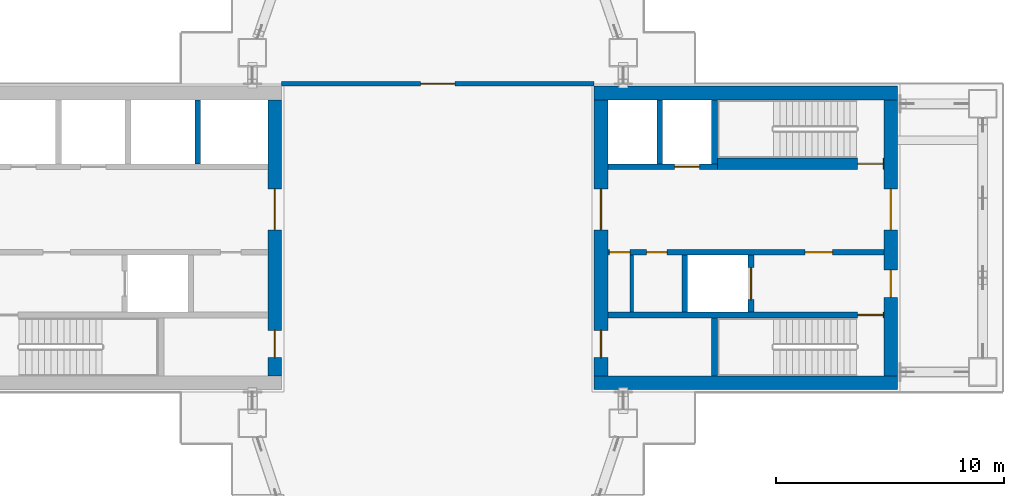
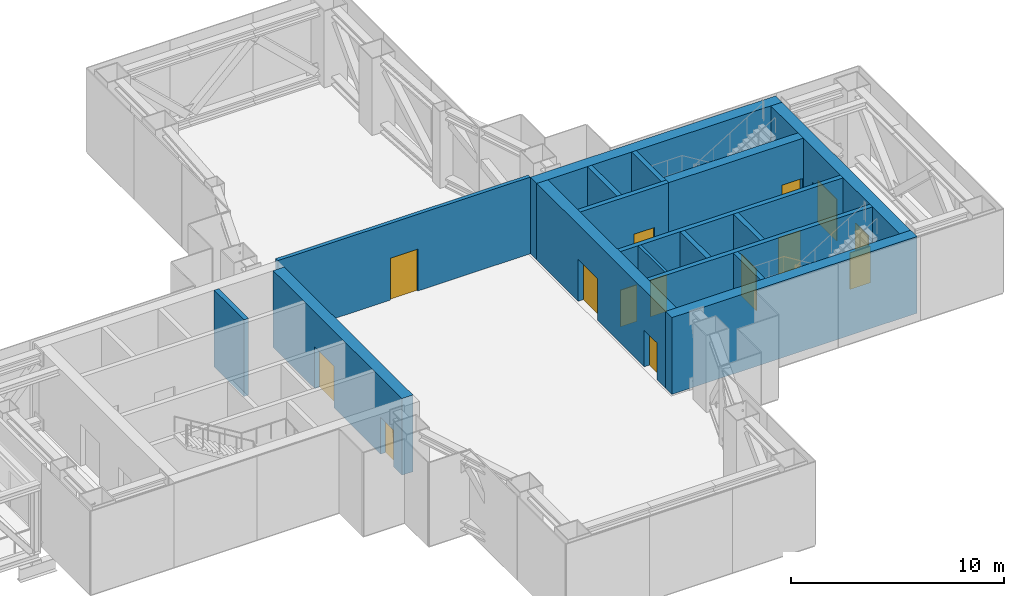
# One storey, part 12 of 21: 17 walls, 14 doors, 14 openings.
"""IFC4 building model written with IfcOpenShell, lengths in metres."""

from ifc_helpers import new_model, si_unit, direction, frame, frame_2d, origin, place, context, subcontext, project, spatial, rectangle, extrude, material, layer, layer_set, type_object, element, fill, save


model = new_model("IFC4")

# Units and contexts
model_context = context("Model", 3, precision=1e-05, world=origin(), true_north=direction((0.0, 1.0)))
body_context = subcontext(model_context, "Body", "Model", "MODEL_VIEW")
ifc_project = project(units=[si_unit("LENGTHUNIT", "METRE"), si_unit("AREAUNIT", "SQUARE_METRE"), si_unit("VOLUMEUNIT", "CUBIC_METRE"), si_unit("PLANEANGLEUNIT", "RADIAN"), si_unit("MASSUNIT", "GRAM", prefix="KILO")], contexts=[model_context])

# Site, building, storey
site_placement = place(None, origin())
site = spatial("IfcSite", under=ifc_project, at=site_placement, CompositionType="ELEMENT")
building_placement = place(site_placement, origin())
building = spatial("IfcBuilding", under=site, at=building_placement, Name="Shamsa Quay Exchange Towers", CompositionType="ELEMENT")
storey_placement = place(building_placement, frame((0.0, 0.0, 128.699951171875)))
storey = spatial("IfcBuildingStorey", under=building, at=storey_placement, Name="L30", CompositionType="ELEMENT", Elevation=128.699951171875)

# Wall, openings, doors
ifc_material_1 = material(Name="Concrete C70/85", Category="concrete")
ifc_layer_1 = layer(ifc_material_1, 0.60009765625)
ifc_layer_set_1 = layer_set([ifc_layer_1], Name="CORE WALL 600 C70/85")
wall_type_1 = type_object("IfcWallType", Name="CORE WALL 600 C70/85", PredefinedType="SHEAR", material=ifc_layer_set_1)
wall_1_placement = place(storey_placement, frame((26.60009765625, 6.050048828125, 0.0), z_axis=(0.0, 0.0, 1.0), x_axis=(0.0, -1.0, 0.0)))
wall_1 = element("IfcWall", 1, at=wall_1_placement, inside=storey, type_object=wall_type_1, Name="Core wall T2A-L30-PB", PredefinedType="SHEAR", context=body_context, shape_type="SweptSolid", body=[
    extrude(rectangle(XDim=12.10009765625, YDim=0.60009765625, at=frame_2d((6.050048828125, 0.0))), origin(), (0.0, 0.0, 1.0), 4.400146484375),
])
opening_1_placement = place(wall_1_placement, frame((10.10009765625, 0.0, 0.0)))
opening_1 = element("IfcOpeningElement", 2, at=opening_1_placement, cuts=wall_1, Name="Opening T2A-L30-RD03", PredefinedType="OPENING", context=body_context, shape_type="SweptSolid", body=[
    extrude(rectangle(XDim=1.199951171875, YDim=2.10009765625, at=frame_2d((0.60009765625, 1.050048828125))), frame((0.0, 0.31005859375, 0.0), z_axis=(0.0, -1.0, 0.0), x_axis=(1.0, 0.0, 0.0)), (0.0, 0.0, 1.0), 0.6201171875),
])
opening_2_placement = place(wall_1_placement, frame((3.89990234375, 0.0, 0.0)))
opening_2 = element("IfcOpeningElement", 3, at=opening_2_placement, cuts=wall_1, Name="Opening T2A-L30-LBD04", PredefinedType="OPENING", context=body_context, shape_type="SweptSolid", body=[
    extrude(rectangle(XDim=1.800048828125, YDim=2.39990234375, at=frame_2d((0.89990234375, 1.199951171875))), frame((0.0, 0.31005859375, 0.0), z_axis=(0.0, -1.0, 0.0), x_axis=(1.0, 0.0, 0.0)), (0.0, 0.0, 1.0), 0.6201171875),
])
ifc_material_2 = material(Name="Steel, fire rated", Category="steel")
door_type_1 = type_object("IfcDoorType", Name="LIFT LOBBY DOOR PAIR 1800", OperationType="DOUBLE_DOOR_SINGLE_SWING", PredefinedType="DOOR", material=ifc_material_2)
door_1_placement = place(opening_2_placement, origin())
door_1 = element("IfcDoor", 4, at=door_1_placement, inside=storey, type_object=door_type_1, Name="T2A-L30-LBD04", OperationType="DOUBLE_DOOR_SINGLE_SWING", OverallHeight=2.39990234375, OverallWidth=1.800048828125, PredefinedType="DOOR", context=body_context, shape_type="SweptSolid", body=[
    extrude(rectangle(XDim=1.800048828125, YDim=2.39990234375, at=frame_2d((0.89990234375, 1.199951171875))), frame((0.0, 0.02490234375, 0.0), z_axis=(0.0, -1.0, 0.0), x_axis=(1.0, 0.0, 0.0)), (0.0, 0.0, 1.0), 0.050048828125),
])
fill(opening_2, door_1)
door_type_2 = type_object("IfcDoorType", Name="RISER ACCESS DOOR 1200", OperationType="SINGLE_SWING_LEFT", PredefinedType="DOOR", material=ifc_material_2)
door_2_placement = place(opening_1_placement, origin())
door_2 = element("IfcDoor", 5, at=door_2_placement, inside=storey, type_object=door_type_2, Name="T2A-L30-RD03", OperationType="SINGLE_SWING_RIGHT", OverallHeight=2.10009765625, OverallWidth=1.199951171875, PredefinedType="DOOR", context=body_context, shape_type="SweptSolid", body=[
    extrude(rectangle(XDim=1.199951171875, YDim=2.10009765625, at=frame_2d((0.60009765625, 1.050048828125))), frame((0.0, 0.02490234375, 0.0), z_axis=(0.0, -1.0, 0.0), x_axis=(1.0, 0.0, 0.0)), (0.0, 0.0, 1.0), 0.050048828125),
])
fill(opening_1, door_2)

# Walls
for number, where, z_axis, x_axis, name in (
    (6, (53.89990234375, -6.35009765625, 0.0), (0.0, 0.0, 1.0), (-1.0, 0.0, 0.0), "Core wall T2B-L30-PS"),
    (7, (53.89990234375, 6.35009765625, 0.0), (0.0, 0.0, 1.0), (-1.0, 0.0, 0.0), "Core wall T2B-L30-PN"),
):
    element("IfcWall", number, at=place(storey_placement, frame(where, z_axis=z_axis, x_axis=x_axis)), inside=storey, type_object=wall_type_1, Name=name, PredefinedType="SHEAR", context=body_context, shape_type="SweptSolid", body=[
        extrude(rectangle(XDim=13.2998046875, YDim=0.60009765625, at=frame_2d((6.64990234375, 0.0))), origin(), (0.0, 0.0, 1.0), 4.400146484375),
    ])

# Wall, openings, doors
wall_2_placement = place(storey_placement, frame((53.60009765625, -6.050048828125, 0.0), z_axis=(0.0, 0.0, 1.0), x_axis=(0.0, 1.0, 0.0)))
wall_2 = element("IfcWall", 8, at=wall_2_placement, inside=storey, type_object=wall_type_1, Name="Core wall T2B-L30-PF", PredefinedType="SHEAR", context=body_context, shape_type="SweptSolid", body=[
    extrude(rectangle(XDim=12.10009765625, YDim=0.60009765625, at=frame_2d((6.050048828125, 0.0))), origin(), (0.0, 0.0, 1.0), 4.400146484375),
])
opening_3_placement = place(wall_2_placement, frame((3.449951171875, 0.0, 0.0)))
opening_3 = element("IfcOpeningElement", 9, at=opening_3_placement, cuts=wall_2, Name="Opening T2B-L30-FD01", PredefinedType="OPENING", context=body_context, shape_type="SweptSolid", body=[
    extrude(rectangle(XDim=1.199951171875, YDim=2.10009765625, at=frame_2d((0.60009765625, 1.050048828125))), frame((0.0, 0.31005859375, 0.0), z_axis=(0.0, -1.0, 0.0), x_axis=(1.0, 0.0, 0.0)), (0.0, 0.0, 1.0), 0.6201171875),
])
opening_4_placement = place(wall_2_placement, frame((6.39990234375, 0.0, 0.0)))
opening_4 = element("IfcOpeningElement", 10, at=opening_4_placement, cuts=wall_2, Name="Opening T2B-L30-LBD02", PredefinedType="OPENING", context=body_context, shape_type="SweptSolid", body=[
    extrude(rectangle(XDim=1.800048828125, YDim=2.39990234375, at=frame_2d((0.89990234375, 1.199951171875))), frame((0.0, 0.31005859375, 0.0), z_axis=(0.0, -1.0, 0.0), x_axis=(1.0, 0.0, 0.0)), (0.0, 0.0, 1.0), 0.6201171875),
])
door_type_3 = type_object("IfcDoorType", Name="FIRE SERVICE LOBBY DOOR 1200", OperationType="SINGLE_SWING_LEFT", PredefinedType="DOOR", material=ifc_material_2)
door_3_placement = place(opening_3_placement, origin())
door_3 = element("IfcDoor", 11, at=door_3_placement, inside=storey, type_object=door_type_3, Name="T2B-L30-FD01", OperationType="SINGLE_SWING_LEFT", OverallHeight=2.10009765625, OverallWidth=1.199951171875, PredefinedType="DOOR", context=body_context, shape_type="SweptSolid", body=[
    extrude(rectangle(XDim=1.199951171875, YDim=2.10009765625, at=frame_2d((0.60009765625, 1.050048828125))), frame((0.0, 0.02490234375, 0.0), z_axis=(0.0, -1.0, 0.0), x_axis=(1.0, 0.0, 0.0)), (0.0, 0.0, 1.0), 0.050048828125),
])
fill(opening_3, door_3)
door_4_placement = place(opening_4_placement, origin())
door_4 = element("IfcDoor", 12, at=door_4_placement, inside=storey, type_object=door_type_1, Name="T2B-L30-LBD02", OperationType="DOUBLE_DOOR_SINGLE_SWING", OverallHeight=2.39990234375, OverallWidth=1.800048828125, PredefinedType="DOOR", context=body_context, shape_type="SweptSolid", body=[
    extrude(rectangle(XDim=1.800048828125, YDim=2.39990234375, at=frame_2d((0.89990234375, 1.199951171875))), frame((0.0, 0.02490234375, 0.0), z_axis=(0.0, -1.0, 0.0), x_axis=(1.0, 0.0, 0.0)), (0.0, 0.0, 1.0), 0.050048828125),
])
fill(opening_4, door_4)

wall_3_placement = place(storey_placement, frame((40.89990234375, -6.050048828125, 0.0), z_axis=(0.0, 0.0, 1.0), x_axis=(0.0, 1.0, 0.0)))
wall_3 = element("IfcWall", 13, at=wall_3_placement, inside=storey, type_object=wall_type_1, Name="Core wall T2B-L30-PB", PredefinedType="SHEAR", context=body_context, shape_type="SweptSolid", body=[
    extrude(rectangle(XDim=12.10009765625, YDim=0.60009765625, at=frame_2d((6.050048828125, 0.0))), origin(), (0.0, 0.0, 1.0), 4.400146484375),
])
opening_5_placement = place(wall_3_placement, frame((0.800048828125, 0.0, 0.0)))
opening_5 = element("IfcOpeningElement", 14, at=opening_5_placement, cuts=wall_3, Name="Opening T2B-L30-RD03", PredefinedType="OPENING", context=body_context, shape_type="SweptSolid", body=[
    extrude(rectangle(XDim=1.199951171875, YDim=2.10009765625, at=frame_2d((0.60009765625, 1.050048828125))), frame((0.0, 0.31005859375, 0.0), z_axis=(0.0, -1.0, 0.0), x_axis=(1.0, 0.0, 0.0)), (0.0, 0.0, 1.0), 0.6201171875),
])
opening_6_placement = place(wall_3_placement, frame((6.39990234375, 0.0, 0.0)))
opening_6 = element("IfcOpeningElement", 15, at=opening_6_placement, cuts=wall_3, Name="Opening T2B-L30-LBD04", PredefinedType="OPENING", context=body_context, shape_type="SweptSolid", body=[
    extrude(rectangle(XDim=1.800048828125, YDim=2.39990234375, at=frame_2d((0.89990234375, 1.199951171875))), frame((0.0, 0.31005859375, 0.0), z_axis=(0.0, -1.0, 0.0), x_axis=(1.0, 0.0, 0.0)), (0.0, 0.0, 1.0), 0.6201171875),
])
door_5_placement = place(opening_6_placement, origin())
door_5 = element("IfcDoor", 16, at=door_5_placement, inside=storey, type_object=door_type_1, Name="T2B-L30-LBD04", OperationType="DOUBLE_DOOR_SINGLE_SWING", OverallHeight=2.39990234375, OverallWidth=1.800048828125, PredefinedType="DOOR", context=body_context, shape_type="SweptSolid", body=[
    extrude(rectangle(XDim=1.800048828125, YDim=2.39990234375, at=frame_2d((0.89990234375, 1.199951171875))), frame((0.0, 0.02490234375, 0.0), z_axis=(0.0, -1.0, 0.0), x_axis=(1.0, 0.0, 0.0)), (0.0, 0.0, 1.0), 0.050048828125),
])
fill(opening_6, door_5)
door_6_placement = place(opening_5_placement, origin())
door_6 = element("IfcDoor", 17, at=door_6_placement, inside=storey, type_object=door_type_2, Name="T2B-L30-RD03", OperationType="SINGLE_SWING_LEFT", OverallHeight=2.10009765625, OverallWidth=1.199951171875, PredefinedType="DOOR", context=body_context, shape_type="SweptSolid", body=[
    extrude(rectangle(XDim=1.199951171875, YDim=2.10009765625, at=frame_2d((0.60009765625, 1.050048828125))), frame((0.0, 0.02490234375, 0.0), z_axis=(0.0, -1.0, 0.0), x_axis=(1.0, 0.0, 0.0)), (0.0, 0.0, 1.0), 0.050048828125),
])
fill(opening_5, door_6)

# Wall
ifc_material_3 = material(Name="Gypsum board on steel studs, EI 60", Category="steel")
ifc_layer_2 = layer(ifc_material_3, 0.14990234375)
ifc_layer_set_2 = layer_set([ifc_layer_2], Name="FIRE PARTITION 150")
wall_type_2 = type_object("IfcWallType", Name="FIRE PARTITION 150", PredefinedType="PARTITIONING", material=ifc_layer_set_2)
wall_4_placement = place(storey_placement, frame((42.25, -3.25, 0.0), z_axis=(0.0, 0.0, 1.0), x_axis=(0.0, 1.0, 0.0)))
element("IfcWall", 18, at=wall_4_placement, inside=storey, type_object=wall_type_2, Name="Partition T2B-L30-EC0", PredefinedType="PARTITIONING", context=body_context, shape_type="SweptSolid", body=[
    extrude(rectangle(XDim=2.5, YDim=0.14990234375, at=frame_2d((1.25, 0.0))), origin(), (0.0, 0.0, 1.0), 4.400146484375),
])

# Wall, opening, door
ifc_material_4 = material(Name="Gypsum board partition on metal studs")
ifc_layer_3 = layer(ifc_material_4, 0.199951171875)
ifc_layer_set_3 = layer_set([ifc_layer_3], Name="Partition 200 mm EI 120")
wall_type_3 = type_object("IfcWallType", Name="Partition 200 mm EI 120", PredefinedType="PARTITIONING", material=ifc_layer_set_3)
wall_5_placement = place(storey_placement, frame((40.60009765625, 6.75, 0.0), z_axis=(0.0, 0.0, 1.0), x_axis=(-1.0, 0.0, 0.0)))
wall_5 = element("IfcWall", 19, at=wall_5_placement, inside=storey, type_object=wall_type_3, Name="Partition T2-L30-W01", PredefinedType="PARTITIONING", context=body_context, shape_type="SweptSolid", body=[
    extrude(rectangle(XDim=13.7001953125, YDim=0.199951171875, at=frame_2d((6.85009765625, 0.0))), origin(), (0.0, 0.0, 1.0), 4.400146484375),
])
opening_7_placement = place(wall_5_placement, frame((6.10009765625, 0.0, 0.0)))
opening_7 = element("IfcOpeningElement", 20, at=opening_7_placement, cuts=wall_5, Name="Opening T2-L30-D01", PredefinedType="OPENING", context=body_context, shape_type="SweptSolid", body=[
    extrude(rectangle(XDim=1.5, YDim=2.39990234375, at=frame_2d((0.75, 1.199951171875))), frame((0.0, 0.10986328125, 0.0), z_axis=(0.0, -1.0, 0.0), x_axis=(1.0, 0.0, 0.0)), (0.0, 0.0, 1.0), 0.219970703125),
])
ifc_material_5 = material(Name="Timber door leaf in a metal frame", Category="wood")
door_type_4 = type_object("IfcDoorType", Name="Door 1500x2400 FD60 pair", OperationType="NOTDEFINED", PredefinedType="DOOR", material=ifc_material_5)
door_7_placement = place(opening_7_placement, origin())
door_7 = element("IfcDoor", 21, at=door_7_placement, inside=storey, type_object=door_type_4, Name="Door T2-L30-D01", OperationType="DOUBLE_DOOR_SINGLE_SWING", OverallHeight=2.39990234375, OverallWidth=1.5, PredefinedType="DOOR", context=body_context, shape_type="SweptSolid", body=[
    extrude(rectangle(XDim=1.5, YDim=2.39990234375, at=frame_2d((0.75, 1.199951171875))), frame((0.0, 0.02490234375, 0.0), z_axis=(0.0, -1.0, 0.0), x_axis=(1.0, 0.0, 0.0)), (0.0, 0.0, 1.0), 0.050048828125),
])
fill(opening_7, door_7)

# Wall
ifc_material_6 = material(Name="Concrete C50/60", Category="concrete")
ifc_layer_4 = layer(ifc_material_6, 0.25)
ifc_layer_set_4 = layer_set([ifc_layer_4], Name="SHAFT WALL 250 C50/60")
wall_type_4 = type_object("IfcWallType", Name="SHAFT WALL 250 C50/60", PredefinedType="SHEAR", material=ifc_layer_set_4)
wall_6_placement = place(storey_placement, frame((23.22509765625, 3.25, 0.0), z_axis=(0.0, 0.0, 1.0), x_axis=(0.0, 1.0, 0.0)))
element("IfcWall", 22, at=wall_6_placement, inside=storey, type_object=wall_type_4, Name="Shaft wall T2A-L30-D2", PredefinedType="SHEAR", context=body_context, shape_type="SweptSolid", body=[
    extrude(rectangle(XDim=2.800048828125, YDim=0.25, at=frame_2d((1.39990234375, 0.0))), origin(), (0.0, 0.0, 1.0), 4.400146484375),
])

# Wall, opening, door
wall_7_placement = place(storey_placement, frame((53.300048828125, -3.375, 0.0), z_axis=(0.0, 0.0, 1.0), x_axis=(-1.0, 0.0, 0.0)))
wall_7 = element("IfcWall", 23, at=wall_7_placement, inside=storey, type_object=wall_type_4, Name="Shaft wall T2B-L30-STL", PredefinedType="SHEAR", context=body_context, shape_type="SweptSolid", body=[
    extrude(rectangle(XDim=12.10009765625, YDim=0.25, at=frame_2d((6.050048828125, 0.0))), origin(), (0.0, 0.0, 1.0), 4.400146484375),
])
opening_8_placement = place(wall_7_placement, frame((0.050048828125, 0.0, 0.0)))
opening_8 = element("IfcOpeningElement", 24, at=opening_8_placement, cuts=wall_7, Name="Opening T2B-L30-SD05", PredefinedType="OPENING", context=body_context, shape_type="SweptSolid", body=[
    extrude(rectangle(XDim=1.10009765625, YDim=2.10009765625, at=frame_2d((0.550048828125, 1.050048828125))), frame((0.0, 0.135009765625, 0.0), z_axis=(0.0, -1.0, 0.0), x_axis=(1.0, 0.0, 0.0)), (0.0, 0.0, 1.0), 0.27001953125),
])
door_type_5 = type_object("IfcDoorType", Name="STAIR DOOR 1100", OperationType="SINGLE_SWING_LEFT", PredefinedType="DOOR", material=ifc_material_2)
door_8_placement = place(opening_8_placement, origin())
door_8 = element("IfcDoor", 25, at=door_8_placement, inside=storey, type_object=door_type_5, Name="T2B-L30-SD05", OperationType="SINGLE_SWING_LEFT", OverallHeight=2.10009765625, OverallWidth=1.10009765625, PredefinedType="DOOR", context=body_context, shape_type="SweptSolid", body=[
    extrude(rectangle(XDim=1.10009765625, YDim=2.10009765625, at=frame_2d((0.550048828125, 1.050048828125))), frame((0.0, 0.02490234375, 0.0), z_axis=(0.0, -1.0, 0.0), x_axis=(1.0, 0.0, 0.0)), (0.0, 0.0, 1.0), 0.050048828125),
])
fill(opening_8, door_8)

# Wall
wall_8_placement = place(storey_placement, frame((45.875, -6.050048828125, 0.0), z_axis=(0.0, 0.0, 1.0), x_axis=(0.0, 1.0, 0.0)))
element("IfcWall", 26, at=wall_8_placement, inside=storey, type_object=wall_type_4, Name="Shaft wall T2B-L30-STF", PredefinedType="SHEAR", context=body_context, shape_type="SweptSolid", body=[
    extrude(rectangle(XDim=2.550048828125, YDim=0.25, at=frame_2d((1.27490234375, 0.0))), origin(), (0.0, 0.0, 1.0), 4.400146484375),
])

# Wall, openings, doors
wall_9_placement = place(storey_placement, frame((53.300048828125, -0.625, 0.0), z_axis=(0.0, 0.0, 1.0), x_axis=(-1.0, 0.0, 0.0)))
wall_9 = element("IfcWall", 27, at=wall_9_placement, inside=storey, type_object=wall_type_4, Name="Shaft wall T2B-L30-B", PredefinedType="SHEAR", context=body_context, shape_type="SweptSolid", body=[
    extrude(rectangle(XDim=12.10009765625, YDim=0.25, at=frame_2d((6.050048828125, 0.0))), origin(), (0.0, 0.0, 1.0), 4.400146484375),
])
opening_9_placement = place(wall_9_placement, frame((2.25, 0.0, 0.0)))
opening_9 = element("IfcOpeningElement", 28, at=opening_9_placement, cuts=wall_9, Name="Opening T2B-L30-FD06", PredefinedType="OPENING", context=body_context, shape_type="SweptSolid", body=[
    extrude(rectangle(XDim=1.199951171875, YDim=2.10009765625, at=frame_2d((0.60009765625, 1.050048828125))), frame((0.0, 0.135009765625, 0.0), z_axis=(0.0, -1.0, 0.0), x_axis=(1.0, 0.0, 0.0)), (0.0, 0.0, 1.0), 0.27001953125),
])
opening_10_placement = place(wall_9_placement, frame((9.5, 0.0, 0.0)))
opening_10 = element("IfcOpeningElement", 29, at=opening_10_placement, cuts=wall_9, Name="Opening T2B-L30-SV07", PredefinedType="OPENING", context=body_context, shape_type="SweptSolid", body=[
    extrude(rectangle(XDim=0.89990234375, YDim=2.10009765625, at=frame_2d((0.449951171875, 1.050048828125))), frame((0.0, 0.135009765625, 0.0), z_axis=(0.0, -1.0, 0.0), x_axis=(1.0, 0.0, 0.0)), (0.0, 0.0, 1.0), 0.27001953125),
])
opening_11_placement = place(wall_9_placement, frame((11.125, 0.0, 0.0)))
opening_11 = element("IfcOpeningElement", 30, at=opening_11_placement, cuts=wall_9, Name="Opening T2B-L30-SV08", PredefinedType="OPENING", context=body_context, shape_type="SweptSolid", body=[
    extrude(rectangle(XDim=0.89990234375, YDim=2.10009765625, at=frame_2d((0.449951171875, 1.050048828125))), frame((0.0, 0.135009765625, 0.0), z_axis=(0.0, -1.0, 0.0), x_axis=(1.0, 0.0, 0.0)), (0.0, 0.0, 1.0), 0.27001953125),
])
door_9_placement = place(opening_9_placement, origin())
door_9 = element("IfcDoor", 31, at=door_9_placement, inside=storey, type_object=door_type_3, Name="T2B-L30-FD06", OperationType="SINGLE_SWING_LEFT", OverallHeight=2.10009765625, OverallWidth=1.199951171875, PredefinedType="DOOR", context=body_context, shape_type="SweptSolid", body=[
    extrude(rectangle(XDim=1.199951171875, YDim=2.10009765625, at=frame_2d((0.60009765625, 1.050048828125))), frame((0.0, 0.02490234375, 0.0), z_axis=(0.0, -1.0, 0.0), x_axis=(1.0, 0.0, 0.0)), (0.0, 0.0, 1.0), 0.050048828125),
])
fill(opening_9, door_9)
door_type_6 = type_object("IfcDoorType", Name="SERVICE ROOM DOOR 900", OperationType="SINGLE_SWING_LEFT", PredefinedType="DOOR", material=ifc_material_2)
door_10_placement = place(opening_10_placement, origin())
door_10 = element("IfcDoor", 32, at=door_10_placement, inside=storey, type_object=door_type_6, Name="T2B-L30-SV07", OperationType="SINGLE_SWING_RIGHT", OverallHeight=2.10009765625, OverallWidth=0.89990234375, PredefinedType="DOOR", context=body_context, shape_type="SweptSolid", body=[
    extrude(rectangle(XDim=0.89990234375, YDim=2.10009765625, at=frame_2d((0.449951171875, 1.050048828125))), frame((0.0, 0.02490234375, 0.0), z_axis=(0.0, -1.0, 0.0), x_axis=(1.0, 0.0, 0.0)), (0.0, 0.0, 1.0), 0.050048828125),
])
fill(opening_10, door_10)
door_11_placement = place(opening_11_placement, origin())
door_11 = element("IfcDoor", 33, at=door_11_placement, inside=storey, type_object=door_type_6, Name="T2B-L30-SV08", OperationType="SINGLE_SWING_RIGHT", OverallHeight=2.10009765625, OverallWidth=0.89990234375, PredefinedType="DOOR", context=body_context, shape_type="SweptSolid", body=[
    extrude(rectangle(XDim=0.89990234375, YDim=2.10009765625, at=frame_2d((0.449951171875, 1.050048828125))), frame((0.0, 0.02490234375, 0.0), z_axis=(0.0, -1.0, 0.0), x_axis=(1.0, 0.0, 0.0)), (0.0, 0.0, 1.0), 0.050048828125),
])
fill(opening_11, door_11)

# Wall, opening, door
wall_10_placement = place(storey_placement, frame((47.47509765625, -3.25, 0.0), z_axis=(0.0, 0.0, 1.0), x_axis=(0.0, 1.0, 0.0)))
wall_10 = element("IfcWall", 34, at=wall_10_placement, inside=storey, type_object=wall_type_4, Name="Shaft wall T2B-L30-FFF", PredefinedType="SHEAR", context=body_context, shape_type="SweptSolid", body=[
    extrude(rectangle(XDim=2.5, YDim=0.25, at=frame_2d((1.25, 0.0))), origin(), (0.0, 0.0, 1.0), 4.400146484375),
])
opening_12_placement = place(wall_10_placement, frame((0.550048828125, 0.0, 0.0)))
opening_12 = element("IfcOpeningElement", 35, at=opening_12_placement, cuts=wall_10, Name="Opening T2B-L30-LDG09", PredefinedType="OPENING", context=body_context, shape_type="SweptSolid", body=[
    extrude(rectangle(XDim=1.39990234375, YDim=2.39990234375, at=frame_2d((0.699951171875, 1.199951171875))), frame((0.0, 0.135009765625, 0.0), z_axis=(0.0, -1.0, 0.0), x_axis=(1.0, 0.0, 0.0)), (0.0, 0.0, 1.0), 0.27001953125),
])
door_type_7 = type_object("IfcDoorType", Name="GOODS LIFT LANDING DOOR 1400", OperationType="SLIDING_TO_LEFT", PredefinedType="DOOR", material=ifc_material_2)
door_12_placement = place(opening_12_placement, origin())
door_12 = element("IfcDoor", 36, at=door_12_placement, inside=storey, type_object=door_type_7, Name="T2B-L30-LDG09", OperationType="SLIDING_TO_LEFT", OverallHeight=2.39990234375, OverallWidth=1.39990234375, PredefinedType="DOOR", context=body_context, shape_type="SweptSolid", body=[
    extrude(rectangle(XDim=1.39990234375, YDim=2.39990234375, at=frame_2d((0.699951171875, 1.199951171875))), frame((0.0, 0.02490234375, 0.0), z_axis=(0.0, -1.0, 0.0), x_axis=(1.0, 0.0, 0.0)), (0.0, 0.0, 1.0), 0.050048828125),
])
fill(opening_12, door_12)

# Wall
wall_11_placement = place(storey_placement, frame((44.574951171875, -3.25, 0.0), z_axis=(0.0, 0.0, 1.0), x_axis=(0.0, 1.0, 0.0)))
element("IfcWall", 37, at=wall_11_placement, inside=storey, type_object=wall_type_4, Name="Shaft wall T2B-L30-FFB", PredefinedType="SHEAR", context=body_context, shape_type="SweptSolid", body=[
    extrude(rectangle(XDim=2.5, YDim=0.25, at=frame_2d((1.25, 0.0))), origin(), (0.0, 0.0, 1.0), 4.400146484375),
])

# Wall, opening, door
wall_12_placement = place(storey_placement, frame((46.0, 3.125, 0.0), z_axis=(0.0, 0.0, 1.0), x_axis=(-1.0, 0.0, 0.0)))
wall_12 = element("IfcWall", 38, at=wall_12_placement, inside=storey, type_object=wall_type_4, Name="Shaft wall T2B-L30-N2", PredefinedType="SHEAR", context=body_context, shape_type="SweptSolid", body=[
    extrude(rectangle(XDim=4.800048828125, YDim=0.25, at=frame_2d((2.39990234375, 0.0))), origin(), (0.0, 0.0, 1.0), 4.400146484375),
])
opening_13_placement = place(wall_12_placement, frame((0.77490234375, 0.0, 0.0)))
opening_13 = element("IfcOpeningElement", 39, at=opening_13_placement, cuts=wall_12, Name="Opening T2B-L30-LD11", PredefinedType="OPENING", context=body_context, shape_type="SweptSolid", body=[
    extrude(rectangle(XDim=1.10009765625, YDim=2.10009765625, at=frame_2d((0.550048828125, 1.050048828125))), frame((0.0, 0.135009765625, 0.0), z_axis=(0.0, -1.0, 0.0), x_axis=(1.0, 0.0, 0.0)), (0.0, 0.0, 1.0), 0.27001953125),
])
door_type_8 = type_object("IfcDoorType", Name="LANDING DOOR 1100", OperationType="SLIDING_TO_LEFT", PredefinedType="DOOR", material=ifc_material_2)
door_13_placement = place(opening_13_placement, origin())
door_13 = element("IfcDoor", 40, at=door_13_placement, inside=storey, type_object=door_type_8, Name="T2B-L30-LD11", OperationType="SLIDING_TO_LEFT", OverallHeight=2.10009765625, OverallWidth=1.10009765625, PredefinedType="DOOR", context=body_context, shape_type="SweptSolid", body=[
    extrude(rectangle(XDim=1.10009765625, YDim=2.10009765625, at=frame_2d((0.550048828125, 1.050048828125))), frame((0.0, 0.02490234375, 0.0), z_axis=(0.0, -1.0, 0.0), x_axis=(1.0, 0.0, 0.0)), (0.0, 0.0, 1.0), 0.050048828125),
])
fill(opening_13, door_13)

# Walls
for number, where, z_axis, x_axis, name in (
    (41, (45.875, 3.25, 0.0), (0.0, 0.0, 1.0), (0.0, 1.0, 0.0), "Shaft wall T2B-L30-STF2"),
    (42, (43.47509765625, 3.25, 0.0), (0.0, 0.0, 1.0), (0.0, 1.0, 0.0), "Shaft wall T2B-L30-D0"),
):
    element("IfcWall", number, at=place(storey_placement, frame(where, z_axis=z_axis, x_axis=x_axis)), inside=storey, type_object=wall_type_4, Name=name, PredefinedType="SHEAR", context=body_context, shape_type="SweptSolid", body=[
        extrude(rectangle(XDim=2.800048828125, YDim=0.25, at=frame_2d((1.39990234375, 0.0))), origin(), (0.0, 0.0, 1.0), 4.400146484375),
    ])

# Wall, opening, door
ifc_layer_5 = layer(ifc_material_6, 0.5)
ifc_layer_set_5 = layer_set([ifc_layer_5], Name="SHAFT WALL 500 C50/60")
wall_type_5 = type_object("IfcWallType", Name="SHAFT WALL 500 C50/60", PredefinedType="SHEAR", material=ifc_layer_set_5)
wall_13_placement = place(storey_placement, frame((46.0, 3.25, 0.0)))
wall_13 = element("IfcWall", 43, at=wall_13_placement, inside=storey, type_object=wall_type_5, Name="Shaft wall T2B-L30-N", PredefinedType="SHEAR", context=body_context, shape_type="SweptSolid", body=[
    extrude(rectangle(XDim=7.300048828125, YDim=0.5, at=frame_2d((3.64990234375, 0.0))), origin(), (0.0, 0.0, 1.0), 4.400146484375),
])
opening_14_placement = place(wall_13_placement, frame((6.14990234375, 0.0, 0.0)))
opening_14 = element("IfcOpeningElement", 44, at=opening_14_placement, cuts=wall_13, Name="Opening T2B-L30-SD10", PredefinedType="OPENING", context=body_context, shape_type="SweptSolid", body=[
    extrude(rectangle(XDim=1.10009765625, YDim=2.10009765625, at=frame_2d((0.550048828125, 1.050048828125))), frame((0.0, 0.260009765625, 0.0), z_axis=(0.0, -1.0, 0.0), x_axis=(1.0, 0.0, 0.0)), (0.0, 0.0, 1.0), 0.52001953125),
])
door_14_placement = place(opening_14_placement, origin())
door_14 = element("IfcDoor", 45, at=door_14_placement, inside=storey, type_object=door_type_5, Name="T2B-L30-SD10", OperationType="SINGLE_SWING_RIGHT", OverallHeight=2.10009765625, OverallWidth=1.10009765625, PredefinedType="DOOR", context=body_context, shape_type="SweptSolid", body=[
    extrude(rectangle(XDim=1.10009765625, YDim=2.10009765625, at=frame_2d((0.550048828125, 1.050048828125))), frame((0.0, 0.02490234375, 0.0), z_axis=(0.0, -1.0, 0.0), x_axis=(1.0, 0.0, 0.0)), (0.0, 0.0, 1.0), 0.050048828125),
])
fill(opening_14, door_14)

save(model, "model.ifc")
